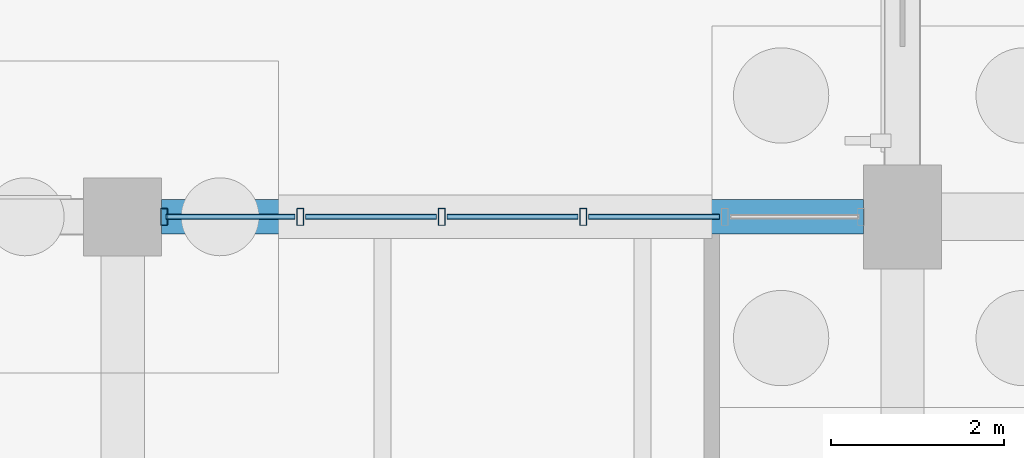
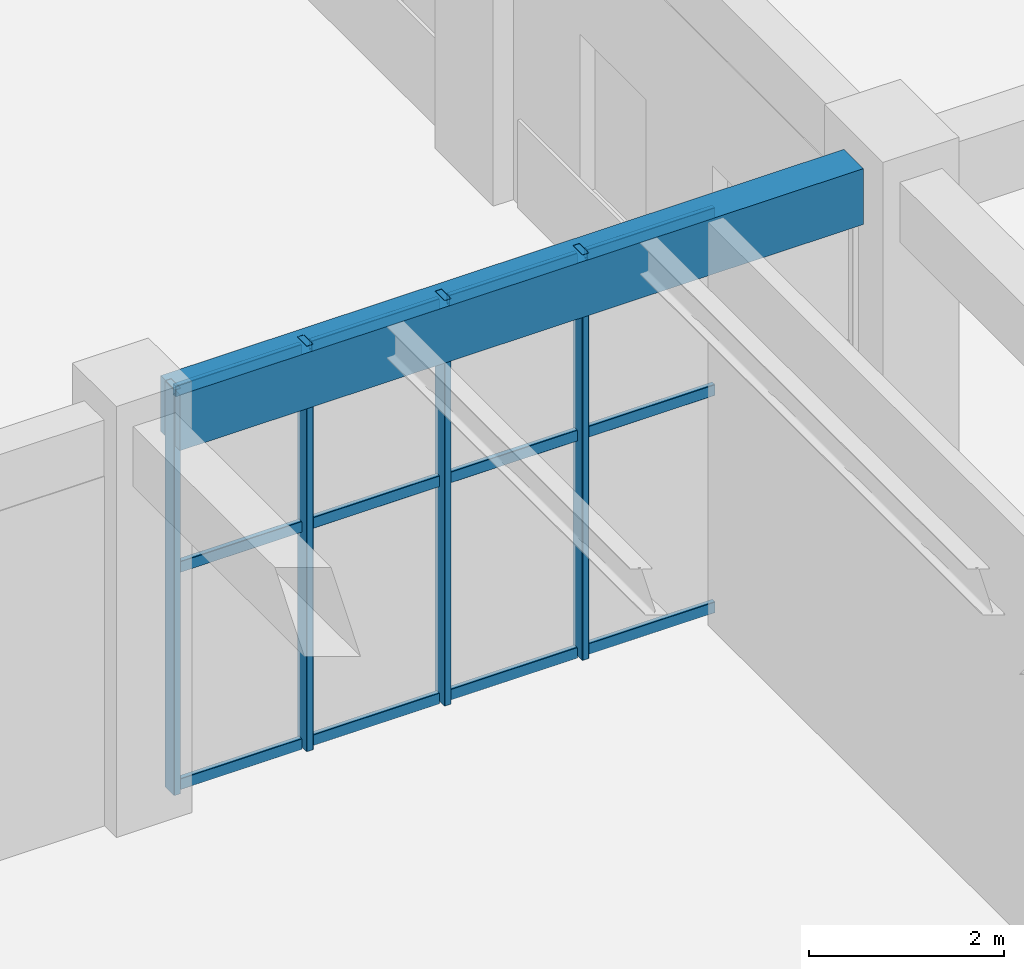
# One storey, part 58 of 121: 16 members, 1 beam, 1 element without a shape of its own.
"""IFC4 building model written with IfcOpenShell, lengths in metres."""

from ifc_helpers import new_model, si_unit, derived_unit, direction, frame, origin, origin_2d, place, context, subcontext, project, spatial, rectangle, hollow_rectangle, extrude, material, material_profile, profile_set, type_object, element, aggregate, save


model = new_model("IFC4")

# Units and contexts
model_context = context("Model", 3, precision=1e-05, world=origin(), true_north=direction((0.0, 1.0)))
body_context = subcontext(model_context, "Body", "Model", "MODEL_VIEW")
ifc_project = project(units=[si_unit("LENGTHUNIT", "METRE"), si_unit("AREAUNIT", "SQUARE_METRE"), si_unit("VOLUMEUNIT", "CUBIC_METRE"), si_unit("PLANEANGLEUNIT", "RADIAN"), si_unit("MASSUNIT", "GRAM", prefix="KILO"), derived_unit("THERMALTRANSMITTANCEUNIT", [(si_unit("MASSUNIT", "GRAM", prefix="KILO"), 1), (si_unit("TIMEUNIT", "SECOND"), -3), (si_unit("THERMODYNAMICTEMPERATUREUNIT", "KELVIN"), -1)])], contexts=[model_context])

# Site, building, storey
site_placement = place(None, origin())
site = spatial("IfcSite", under=ifc_project, at=site_placement, CompositionType="ELEMENT")
building_placement = place(site_placement, origin())
building = spatial("IfcBuilding", under=site, at=building_placement, Name="Zhenchuan Archway Interchange", CompositionType="ELEMENT")
storey_placement = place(building_placement, origin())
storey = spatial("IfcBuildingStorey", under=building, at=storey_placement, Name="L00", CompositionType="ELEMENT", Elevation=0.0)

# Curtain wall, members
ifc_material_1 = material(Name="Anodised Aluminium", Category="aluminium")
curtain_wall_type = type_object("IfcCurtainWallType", Name="CW_UNIT_1", PredefinedType="NOTDEFINED", material=ifc_material_1)
curtain_wall_placement = place(storey_placement, origin())
curtain_wall = element("IfcCurtainWall", 1, at=curtain_wall_placement, inside=storey, type_object=curtain_wall_type, Name="Unitised curtain wall CW:L00:020", PredefinedType="NOTDEFINED")
ifc_material_profile_1 = material_profile(ifc_material_1, hollow_rectangle(XDim=0.080078125, YDim=0.199951171875, WallThickness=0.00439453125, InnerFilletRadius=0.00439453125, OuterFilletRadius=0.009033203125, at=origin_2d()), Name="ALU 200x80x4.5")
ifc_profile_set_1 = profile_set([ifc_material_profile_1], Name="Anodised Aluminium")
member_type_1 = type_object("IfcMemberType", Name="CW_MUL_200", PredefinedType="MULLION", material=ifc_profile_set_1)
member_1_placement = place(storey_placement, frame((135.47802734375, 24.0, 0.0), z_axis=(0.0, 0.0, 1.0), x_axis=(1.0, 0.0, 0.0)))
member_1 = element("IfcMember", 2, at=member_1_placement, type_object=member_type_1, Name="CW:L00:020 mullion 0", PredefinedType="MULLION", context=body_context, shape_type="SweptSolid", body=[
    extrude(hollow_rectangle(XDim=0.080078125, YDim=0.199951171875, WallThickness=0.00439453125, InnerFilletRadius=0.00439453125, OuterFilletRadius=0.009033203125, at=origin_2d()), origin(), (0.0, 0.0, 1.0), 5.080078125),
])
member_2_placement = place(storey_placement, frame((137.05078125, 24.0, 0.0), z_axis=(0.0, 0.0, 1.0), x_axis=(1.0, 0.0, 0.0)))
member_2 = element("IfcMember", 3, at=member_2_placement, type_object=member_type_1, Name="CW:L00:020 mullion 1", PredefinedType="MULLION", context=body_context, shape_type="SweptSolid", body=[
    extrude(hollow_rectangle(XDim=0.080078125, YDim=0.199951171875, WallThickness=0.00439453125, InnerFilletRadius=0.00439453125, OuterFilletRadius=0.009033203125, at=origin_2d()), origin(), (0.0, 0.0, 1.0), 5.080078125),
])
member_3_placement = place(storey_placement, frame((138.68359375, 24.0, 0.0), z_axis=(0.0, 0.0, 1.0), x_axis=(1.0, 0.0, 0.0)))
member_3 = element("IfcMember", 4, at=member_3_placement, type_object=member_type_1, Name="CW:L00:020 mullion 2", PredefinedType="MULLION", context=body_context, shape_type="SweptSolid", body=[
    extrude(hollow_rectangle(XDim=0.080078125, YDim=0.199951171875, WallThickness=0.00439453125, InnerFilletRadius=0.00439453125, OuterFilletRadius=0.009033203125, at=origin_2d()), origin(), (0.0, 0.0, 1.0), 5.080078125),
])
member_4_placement = place(storey_placement, frame((140.31640625, 24.0, 0.0), z_axis=(0.0, 0.0, 1.0), x_axis=(1.0, 0.0, 0.0)))
member_4 = element("IfcMember", 5, at=member_4_placement, type_object=member_type_1, Name="CW:L00:020 mullion 3", PredefinedType="MULLION", context=body_context, shape_type="SweptSolid", body=[
    extrude(hollow_rectangle(XDim=0.080078125, YDim=0.199951171875, WallThickness=0.00439453125, InnerFilletRadius=0.00439453125, OuterFilletRadius=0.009033203125, at=origin_2d()), origin(), (0.0, 0.0, 1.0), 5.080078125),
])
ifc_material_profile_2 = material_profile(ifc_material_1, hollow_rectangle(XDim=0.06005859375, YDim=0.139892578125, WallThickness=0.00341796875, InnerFilletRadius=0.00341796875, OuterFilletRadius=0.007080078125, at=origin_2d()), Name="ALU 140x60x3.5")
ifc_profile_set_2 = profile_set([ifc_material_profile_2], Name="Anodised Aluminium")
member_type_2 = type_object("IfcMemberType", Name="CW_TRN_140", PredefinedType="USERDEFINED", material=ifc_profile_set_2)
member_5_placement = place(storey_placement, frame((135.498046875, 24.0, 0.06005859375), z_axis=(1.0, 0.0, 0.0), x_axis=(0.0, 1.0, 0.0)))
member_5 = element("IfcMember", 6, at=member_5_placement, type_object=member_type_2, Name="CW:L00:020 transom 0-1", ObjectType="TRANSOM", PredefinedType="USERDEFINED", context=body_context, shape_type="SweptSolid", body=[
    extrude(hollow_rectangle(XDim=0.06005859375, YDim=0.139892578125, WallThickness=0.00341796875, InnerFilletRadius=0.00341796875, OuterFilletRadius=0.007080078125, at=origin_2d()), origin(), (0.0, 0.0, 1.0), 1.49267578125),
])
member_6_placement = place(storey_placement, frame((135.498046875, 24.0, 2.782958984375), z_axis=(1.0, 0.0, 0.0), x_axis=(0.0, 1.0, 0.0)))
member_6 = element("IfcMember", 7, at=member_6_placement, type_object=member_type_2, Name="CW:L00:020 transom 0-2", ObjectType="TRANSOM", PredefinedType="USERDEFINED", context=body_context, shape_type="SweptSolid", body=[
    extrude(hollow_rectangle(XDim=0.06005859375, YDim=0.139892578125, WallThickness=0.00341796875, InnerFilletRadius=0.00341796875, OuterFilletRadius=0.007080078125, at=origin_2d()), origin(), (0.0, 0.0, 1.0), 1.49267578125),
])
member_7_placement = place(storey_placement, frame((135.498046875, 24.0, 5.0), z_axis=(1.0, 0.0, 0.0), x_axis=(0.0, 1.0, 0.0)))
member_7 = element("IfcMember", 8, at=member_7_placement, type_object=member_type_2, Name="CW:L00:020 transom 0-3", ObjectType="TRANSOM", PredefinedType="USERDEFINED", context=body_context, shape_type="SweptSolid", body=[
    extrude(hollow_rectangle(XDim=0.06005859375, YDim=0.139892578125, WallThickness=0.00341796875, InnerFilletRadius=0.00341796875, OuterFilletRadius=0.007080078125, at=origin_2d()), origin(), (0.0, 0.0, 1.0), 1.49267578125),
])
member_8_placement = place(storey_placement, frame((137.11083984375, 24.0, 0.06005859375), z_axis=(1.0, 0.0, 0.0), x_axis=(0.0, 1.0, 0.0)))
member_8 = element("IfcMember", 9, at=member_8_placement, type_object=member_type_2, Name="CW:L00:020 transom 1-1", ObjectType="TRANSOM", PredefinedType="USERDEFINED", context=body_context, shape_type="SweptSolid", body=[
    extrude(hollow_rectangle(XDim=0.06005859375, YDim=0.139892578125, WallThickness=0.00341796875, InnerFilletRadius=0.00341796875, OuterFilletRadius=0.007080078125, at=origin_2d()), origin(), (0.0, 0.0, 1.0), 1.5126953125),
])
member_9_placement = place(storey_placement, frame((137.11083984375, 24.0, 2.782958984375), z_axis=(1.0, 0.0, 0.0), x_axis=(0.0, 1.0, 0.0)))
member_9 = element("IfcMember", 10, at=member_9_placement, type_object=member_type_2, Name="CW:L00:020 transom 1-2", ObjectType="TRANSOM", PredefinedType="USERDEFINED", context=body_context, shape_type="SweptSolid", body=[
    extrude(hollow_rectangle(XDim=0.06005859375, YDim=0.139892578125, WallThickness=0.00341796875, InnerFilletRadius=0.00341796875, OuterFilletRadius=0.007080078125, at=origin_2d()), origin(), (0.0, 0.0, 1.0), 1.5126953125),
])
member_10_placement = place(storey_placement, frame((137.11083984375, 24.0, 5.0), z_axis=(1.0, 0.0, 0.0), x_axis=(0.0, 1.0, 0.0)))
member_10 = element("IfcMember", 11, at=member_10_placement, type_object=member_type_2, Name="CW:L00:020 transom 1-3", ObjectType="TRANSOM", PredefinedType="USERDEFINED", context=body_context, shape_type="SweptSolid", body=[
    extrude(hollow_rectangle(XDim=0.06005859375, YDim=0.139892578125, WallThickness=0.00341796875, InnerFilletRadius=0.00341796875, OuterFilletRadius=0.007080078125, at=origin_2d()), origin(), (0.0, 0.0, 1.0), 1.5126953125),
])
member_11_placement = place(storey_placement, frame((138.74365234375, 24.0, 0.06005859375), z_axis=(1.0, 0.0, 0.0), x_axis=(0.0, 1.0, 0.0)))
member_11 = element("IfcMember", 12, at=member_11_placement, type_object=member_type_2, Name="CW:L00:020 transom 2-1", ObjectType="TRANSOM", PredefinedType="USERDEFINED", context=body_context, shape_type="SweptSolid", body=[
    extrude(hollow_rectangle(XDim=0.06005859375, YDim=0.139892578125, WallThickness=0.00341796875, InnerFilletRadius=0.00341796875, OuterFilletRadius=0.007080078125, at=origin_2d()), origin(), (0.0, 0.0, 1.0), 1.5126953125),
])
member_12_placement = place(storey_placement, frame((138.74365234375, 24.0, 2.782958984375), z_axis=(1.0, 0.0, 0.0), x_axis=(0.0, 1.0, 0.0)))
member_12 = element("IfcMember", 13, at=member_12_placement, type_object=member_type_2, Name="CW:L00:020 transom 2-2", ObjectType="TRANSOM", PredefinedType="USERDEFINED", context=body_context, shape_type="SweptSolid", body=[
    extrude(hollow_rectangle(XDim=0.06005859375, YDim=0.139892578125, WallThickness=0.00341796875, InnerFilletRadius=0.00341796875, OuterFilletRadius=0.007080078125, at=origin_2d()), origin(), (0.0, 0.0, 1.0), 1.5126953125),
])
member_13_placement = place(storey_placement, frame((138.74365234375, 24.0, 5.0), z_axis=(1.0, 0.0, 0.0), x_axis=(0.0, 1.0, 0.0)))
member_13 = element("IfcMember", 14, at=member_13_placement, type_object=member_type_2, Name="CW:L00:020 transom 2-3", ObjectType="TRANSOM", PredefinedType="USERDEFINED", context=body_context, shape_type="SweptSolid", body=[
    extrude(hollow_rectangle(XDim=0.06005859375, YDim=0.139892578125, WallThickness=0.00341796875, InnerFilletRadius=0.00341796875, OuterFilletRadius=0.007080078125, at=origin_2d()), origin(), (0.0, 0.0, 1.0), 1.5126953125),
])
member_14_placement = place(storey_placement, frame((140.37646484375, 24.0, 0.06005859375), z_axis=(1.0, 0.0, 0.0), x_axis=(0.0, 1.0, 0.0)))
member_14 = element("IfcMember", 15, at=member_14_placement, type_object=member_type_2, Name="CW:L00:020 transom 3-1", ObjectType="TRANSOM", PredefinedType="USERDEFINED", context=body_context, shape_type="SweptSolid", body=[
    extrude(hollow_rectangle(XDim=0.06005859375, YDim=0.139892578125, WallThickness=0.00341796875, InnerFilletRadius=0.00341796875, OuterFilletRadius=0.007080078125, at=origin_2d()), origin(), (0.0, 0.0, 1.0), 1.5126953125),
])
member_15_placement = place(storey_placement, frame((140.37646484375, 24.0, 2.782958984375), z_axis=(1.0, 0.0, 0.0), x_axis=(0.0, 1.0, 0.0)))
member_15 = element("IfcMember", 16, at=member_15_placement, type_object=member_type_2, Name="CW:L00:020 transom 3-2", ObjectType="TRANSOM", PredefinedType="USERDEFINED", context=body_context, shape_type="SweptSolid", body=[
    extrude(hollow_rectangle(XDim=0.06005859375, YDim=0.139892578125, WallThickness=0.00341796875, InnerFilletRadius=0.00341796875, OuterFilletRadius=0.007080078125, at=origin_2d()), origin(), (0.0, 0.0, 1.0), 1.5126953125),
])
member_16_placement = place(storey_placement, frame((140.37646484375, 24.0, 5.0), z_axis=(1.0, 0.0, 0.0), x_axis=(0.0, 1.0, 0.0)))
member_16 = element("IfcMember", 17, at=member_16_placement, type_object=member_type_2, Name="CW:L00:020 transom 3-3", ObjectType="TRANSOM", PredefinedType="USERDEFINED", context=body_context, shape_type="SweptSolid", body=[
    extrude(hollow_rectangle(XDim=0.06005859375, YDim=0.139892578125, WallThickness=0.00341796875, InnerFilletRadius=0.00341796875, OuterFilletRadius=0.007080078125, at=origin_2d()), origin(), (0.0, 0.0, 1.0), 1.5126953125),
])
aggregate(curtain_wall, [member_1, member_2, member_3, member_4, member_5, member_6, member_7, member_8, member_9, member_10, member_11, member_12, member_13, member_14, member_15, member_16])

# Beam
ifc_material_2 = material(Name="Concrete C40", Category="concrete")
ifc_material_profile_3 = material_profile(ifc_material_2, rectangle(XDim=0.39990234375, YDim=0.699951171875, at=origin_2d()), Name="RC 400x700")
ifc_profile_set_3 = profile_set([ifc_material_profile_3], Name="Concrete C40")
beam_type = type_object("IfcBeamType", Name="SP_RC_400x700", PredefinedType="SPANDREL", material=ifc_profile_set_3)
beam_placement = place(storey_placement, frame((135.449951171875, 24.0, 4.72998046875), z_axis=(1.0, 0.0, 0.0), x_axis=(0.0, 1.0, 0.0)))
element("IfcBeam", 18, at=beam_placement, inside=storey, type_object=beam_type, Name="Beam D:16-17 (L00)", PredefinedType="SPANDREL", context=body_context, shape_type="SweptSolid", body=[
    extrude(rectangle(XDim=0.39990234375, YDim=0.699951171875, at=origin_2d()), origin(), (0.0, 0.0, 1.0), 8.10009765625),
])

save(model, "model.ifc")
